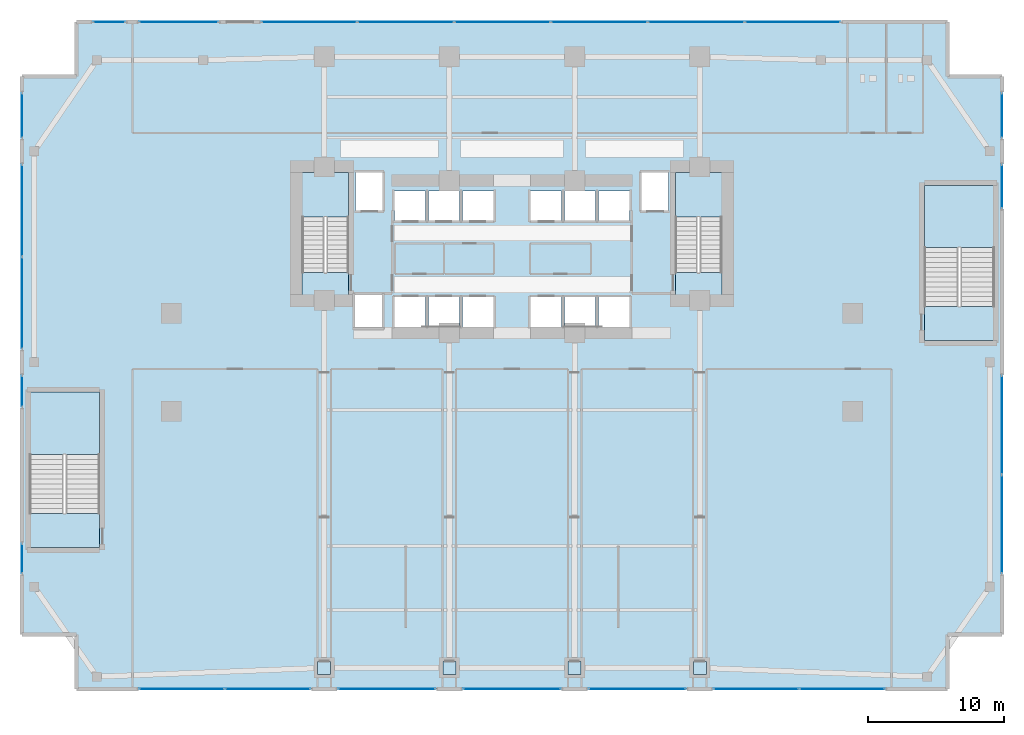
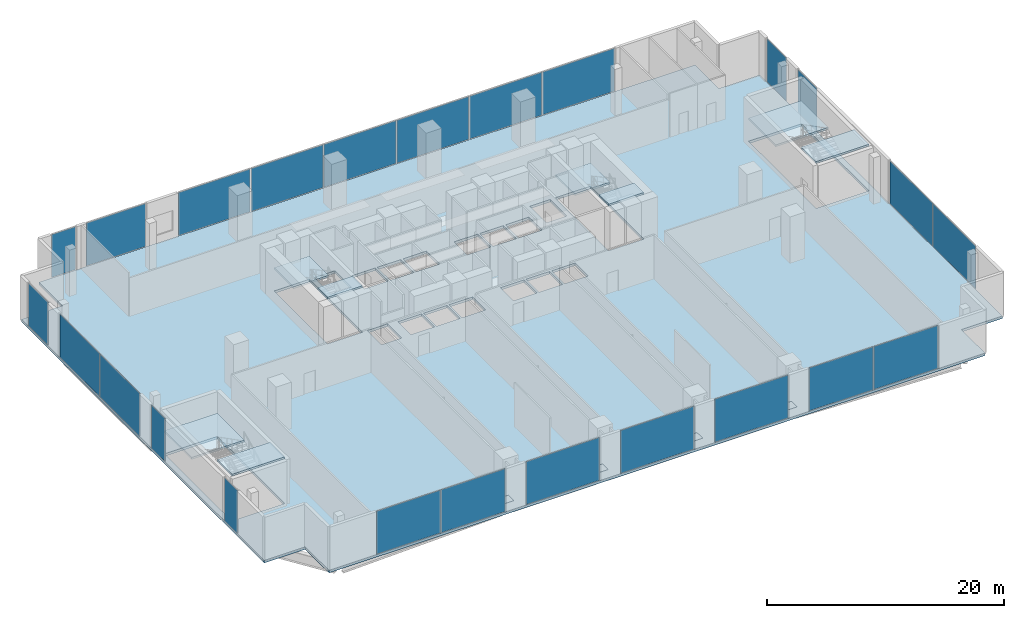
# One storey, part 24 of 33: 28 plates, 9 slabs, 19 elements without a shape of their own.
"""IFC4 building model written with IfcOpenShell, lengths in metres."""

from ifc_helpers import new_model, si_unit, direction, frame, origin, origin_2d, place, context, subcontext, project, spatial, polyline, rectangle, outline, extrude, material, layer, layer_set, type_object, element, aggregate, save


model = new_model("IFC4")

# Units and contexts
model_context = context("Model", 3, precision=1e-05, world=origin(), true_north=direction((0.0, 1.0)))
body_context = subcontext(model_context, "Body", "Model", "MODEL_VIEW")
ifc_project = project(units=[si_unit("LENGTHUNIT", "METRE"), si_unit("AREAUNIT", "SQUARE_METRE"), si_unit("VOLUMEUNIT", "CUBIC_METRE"), si_unit("PLANEANGLEUNIT", "RADIAN"), si_unit("MASSUNIT", "GRAM", prefix="KILO")], contexts=[model_context])

# Site, building, storey
site_placement = place(None, origin())
site = spatial("IfcSite", under=ifc_project, at=site_placement, CompositionType="ELEMENT")
building_placement = place(site_placement, origin())
building = spatial("IfcBuilding", under=site, at=building_placement, Name="Zuhayl Quay Hotel", CompositionType="ELEMENT")
storey_placement = place(building_placement, frame((0.0, 0.0, 18.0)))
storey = spatial("IfcBuildingStorey", under=building, at=storey_placement, Name="L03", CompositionType="ELEMENT", Elevation=18.0)

# Curtain wall, plate
ifc_material_1 = material(Name="Anodised Aluminium 6063-T6", Category="aluminium")
ifc_layer_1 = layer(ifc_material_1, 0.199951171875, Name="Anodised Aluminium 6063-T6", Category="aluminium")
ifc_layer_set_1 = layer_set([ifc_layer_1], Name="Anodised Aluminium 6063-T6")
curtain_wall_type = type_object("IfcCurtainWallType", Name="CW_SYS_POD", PredefinedType="USERDEFINED", material=ifc_layer_set_1)
curtain_wall_1_placement = place(storey_placement, origin())
curtain_wall_1 = element("IfcCurtainWall", 1, at=curtain_wall_1_placement, inside=storey, type_object=curtain_wall_type, Name="L03 Curtain Wall ENV_L03_E02_CW1", ObjectType="UNITISED CURTAIN WALL", PredefinedType="USERDEFINED")
ifc_material_2 = material(Name="Low-E Insulated Clear Vision Glass", Category="glass")
ifc_layer_2 = layer(ifc_material_2, 0.031982421875, Name="Low-E Insulated Clear Vision Glass", Category="glass")
ifc_layer_set_2 = layer_set([ifc_layer_2], Name="Low-E Insulated Clear Vision Glass")
plate_type_1 = type_object("IfcPlateType", Name="PN_POD_VISION", PredefinedType="CURTAIN_PANEL", material=ifc_layer_set_2)
plate_1_placement = place(storey_placement, frame((-36.0, -14.4150390625, 0.06005859375), z_axis=(0.0, 0.0, 1.0), x_axis=(0.0, 1.0, 0.0)))
plate_1 = element("IfcPlate", 2, at=plate_1_placement, type_object=plate_type_1, Name="CW-POD panel 1.1", PredefinedType="CURTAIN_PANEL", context=body_context, shape_type="SweptSolid", body=[
    extrude(rectangle(XDim=2.179931640625, YDim=0.031982421875, at=origin_2d()), origin(), (0.0, 0.0, 1.0), 4.419921875),
])
aggregate(curtain_wall_1, [plate_1])

curtain_wall_2_placement = place(storey_placement, origin())
curtain_wall_2 = element("IfcCurtainWall", 3, at=curtain_wall_2_placement, inside=storey, type_object=curtain_wall_type, Name="L03 Curtain Wall ENV_L03_E02_CW2", ObjectType="UNITISED CURTAIN WALL", PredefinedType="USERDEFINED")
plate_2_placement = place(storey_placement, frame((-36.0, -2.135009765625, 0.06005859375), z_axis=(0.0, 0.0, 1.0), x_axis=(0.0, 1.0, 0.0)))
plate_2 = element("IfcPlate", 4, at=plate_2_placement, type_object=plate_type_1, Name="CW-POD panel 1.1", PredefinedType="CURTAIN_PANEL", context=body_context, shape_type="SweptSolid", body=[
    extrude(rectangle(XDim=2.280029296875, YDim=0.031982421875, at=origin_2d()), origin(), (0.0, 0.0, 1.0), 4.419921875),
])
aggregate(curtain_wall_2, [plate_2])

# Curtain wall, plates
curtain_wall_3_placement = place(storey_placement, origin())
curtain_wall_3 = element("IfcCurtainWall", 5, at=curtain_wall_3_placement, inside=storey, type_object=curtain_wall_type, Name="L03 Curtain Wall ENV_L03_E02_CW3", ObjectType="UNITISED CURTAIN WALL", PredefinedType="USERDEFINED")
plate_3_placement = place(storey_placement, frame((-36.0, 4.353759765625, 0.06005859375), z_axis=(0.0, 0.0, 1.0), x_axis=(0.0, 1.0, 0.0)))
plate_3 = element("IfcPlate", 6, at=plate_3_placement, type_object=plate_type_1, Name="CW-POD panel 1.1", PredefinedType="CURTAIN_PANEL", context=body_context, shape_type="SweptSolid", body=[
    extrude(rectangle(XDim=6.717529296875, YDim=0.031982421875, at=origin_2d()), origin(), (0.0, 0.0, 1.0), 4.419921875),
])
plate_4_placement = place(storey_placement, frame((-36.0, 11.146240234375, 0.06005859375), z_axis=(0.0, 0.0, 1.0), x_axis=(0.0, 1.0, 0.0)))
plate_4 = element("IfcPlate", 7, at=plate_4_placement, type_object=plate_type_1, Name="CW-POD panel 2.1", PredefinedType="CURTAIN_PANEL", context=body_context, shape_type="SweptSolid", body=[
    extrude(rectangle(XDim=6.717529296875, YDim=0.031982421875, at=origin_2d()), origin(), (0.0, 0.0, 1.0), 4.419921875),
])
aggregate(curtain_wall_3, [plate_3, plate_4])

# Curtain wall, plate
curtain_wall_4_placement = place(storey_placement, origin())
curtain_wall_4 = element("IfcCurtainWall", 8, at=curtain_wall_4_placement, inside=storey, type_object=curtain_wall_type, Name="L03 Curtain Wall ENV_L03_E02_CW4", ObjectType="UNITISED CURTAIN WALL", PredefinedType="USERDEFINED")
plate_5_placement = place(storey_placement, frame((-36.0, 18.135009765625, 0.06005859375), z_axis=(0.0, 0.0, 1.0), x_axis=(0.0, 1.0, 0.0)))
plate_5 = element("IfcPlate", 9, at=plate_5_placement, type_object=plate_type_1, Name="CW-POD panel 1.1", PredefinedType="CURTAIN_PANEL", context=body_context, shape_type="SweptSolid", body=[
    extrude(rectangle(XDim=3.280029296875, YDim=0.031982421875, at=origin_2d()), origin(), (0.0, 0.0, 1.0), 4.419921875),
])
aggregate(curtain_wall_4, [plate_5])

curtain_wall_5_placement = place(storey_placement, origin())
curtain_wall_5 = element("IfcCurtainWall", 10, at=curtain_wall_5_placement, inside=storey, type_object=curtain_wall_type, Name="L03 Curtain Wall ENV_L03_E05_CW1", ObjectType="UNITISED CURTAIN WALL", PredefinedType="USERDEFINED")
plate_6_placement = place(storey_placement, frame((-29.60009765625, 25.0, 0.06005859375), z_axis=(0.0, 0.0, 1.0), x_axis=(1.0, 0.0, 0.0)))
plate_6 = element("IfcPlate", 11, at=plate_6_placement, type_object=plate_type_1, Name="CW-POD panel 1.1", PredefinedType="CURTAIN_PANEL", context=body_context, shape_type="SweptSolid", body=[
    extrude(rectangle(XDim=2.35009765625, YDim=0.031982421875, at=origin_2d()), origin(), (0.0, 0.0, 1.0), 4.419921875),
])
aggregate(curtain_wall_5, [plate_6])

curtain_wall_6_placement = place(storey_placement, origin())
curtain_wall_6 = element("IfcCurtainWall", 12, at=curtain_wall_6_placement, inside=storey, type_object=curtain_wall_type, Name="L03 Curtain Wall ENV_L03_E05_CW2", ObjectType="UNITISED CURTAIN WALL", PredefinedType="USERDEFINED")
plate_7_placement = place(storey_placement, frame((-24.487548828125, 25.0, 0.06005859375), z_axis=(0.0, 0.0, 1.0), x_axis=(1.0, 0.0, 0.0)))
plate_7 = element("IfcPlate", 13, at=plate_7_placement, type_object=plate_type_1, Name="CW-POD panel 1.1", PredefinedType="CURTAIN_PANEL", context=body_context, shape_type="SweptSolid", body=[
    extrude(rectangle(XDim=5.77490234375, YDim=0.031982421875, at=origin_2d()), origin(), (0.0, 0.0, 1.0), 4.419921875),
])
aggregate(curtain_wall_6, [plate_7])

# Curtain wall, plates
curtain_wall_7_placement = place(storey_placement, origin())
curtain_wall_7 = element("IfcCurtainWall", 14, at=curtain_wall_7_placement, inside=storey, type_object=curtain_wall_type, Name="L03 Curtain Wall ENV_L03_E05_CW3", ObjectType="UNITISED CURTAIN WALL", PredefinedType="USERDEFINED")
plate_8_placement = place(storey_placement, frame((-14.89990234375, 25.0, 0.06005859375), z_axis=(0.0, 0.0, 1.0), x_axis=(1.0, 0.0, 0.0)))
plate_8 = element("IfcPlate", 15, at=plate_8_placement, type_object=plate_type_1, Name="CW-POD panel 1.1", PredefinedType="CURTAIN_PANEL", context=body_context, shape_type="SweptSolid", body=[
    extrude(rectangle(XDim=7.0, YDim=0.031982421875, at=origin_2d()), origin(), (0.0, 0.0, 1.0), 4.419921875),
])
plate_9_placement = place(storey_placement, frame((-7.80615234375, 25.0, 0.06005859375), z_axis=(0.0, 0.0, 1.0), x_axis=(1.0, 0.0, 0.0)))
plate_9 = element("IfcPlate", 16, at=plate_9_placement, type_object=plate_type_1, Name="CW-POD panel 2.1", PredefinedType="CURTAIN_PANEL", context=body_context, shape_type="SweptSolid", body=[
    extrude(rectangle(XDim=7.03759765625, YDim=0.031982421875, at=origin_2d()), origin(), (0.0, 0.0, 1.0), 4.419921875),
])
plate_10_placement = place(storey_placement, frame((-0.69384765625, 25.0, 0.06005859375), z_axis=(0.0, 0.0, 1.0), x_axis=(1.0, 0.0, 0.0)))
plate_10 = element("IfcPlate", 17, at=plate_10_placement, type_object=plate_type_1, Name="CW-POD panel 3.1", PredefinedType="CURTAIN_PANEL", context=body_context, shape_type="SweptSolid", body=[
    extrude(rectangle(XDim=7.03759765625, YDim=0.031982421875, at=origin_2d()), origin(), (0.0, 0.0, 1.0), 4.419921875),
])
plate_11_placement = place(storey_placement, frame((6.418701171875, 25.0, 0.06005859375), z_axis=(0.0, 0.0, 1.0), x_axis=(1.0, 0.0, 0.0)))
plate_11 = element("IfcPlate", 18, at=plate_11_placement, type_object=plate_type_1, Name="CW-POD panel 4.1", PredefinedType="CURTAIN_PANEL", context=body_context, shape_type="SweptSolid", body=[
    extrude(rectangle(XDim=7.03759765625, YDim=0.031982421875, at=origin_2d()), origin(), (0.0, 0.0, 1.0), 4.419921875),
])
plate_12_placement = place(storey_placement, frame((13.53125, 25.0, 0.06005859375), z_axis=(0.0, 0.0, 1.0), x_axis=(1.0, 0.0, 0.0)))
plate_12 = element("IfcPlate", 19, at=plate_12_placement, type_object=plate_type_1, Name="CW-POD panel 5.1", PredefinedType="CURTAIN_PANEL", context=body_context, shape_type="SweptSolid", body=[
    extrude(rectangle(XDim=7.03759765625, YDim=0.031982421875, at=origin_2d()), origin(), (0.0, 0.0, 1.0), 4.419921875),
])
plate_13_placement = place(storey_placement, frame((20.625, 25.0, 0.06005859375), z_axis=(0.0, 0.0, 1.0), x_axis=(1.0, 0.0, 0.0)))
plate_13 = element("IfcPlate", 20, at=plate_13_placement, type_object=plate_type_1, Name="CW-POD panel 6.1", PredefinedType="CURTAIN_PANEL", context=body_context, shape_type="SweptSolid", body=[
    extrude(rectangle(XDim=7.0, YDim=0.031982421875, at=origin_2d()), origin(), (0.0, 0.0, 1.0), 4.419921875),
])
aggregate(curtain_wall_7, [plate_8, plate_9, plate_10, plate_11, plate_12, plate_13])

# Curtain wall, plate
curtain_wall_8_placement = place(storey_placement, origin())
curtain_wall_8 = element("IfcCurtainWall", 21, at=curtain_wall_8_placement, inside=storey, type_object=curtain_wall_type, Name="L03 Curtain Wall ENV_L03_E08_CW1", ObjectType="UNITISED CURTAIN WALL", PredefinedType="USERDEFINED")
plate_14_placement = place(storey_placement, frame((36.0, 18.135009765625, 0.06005859375), z_axis=(0.0, 0.0, 1.0), x_axis=(0.0, -1.0, 0.0)))
plate_14 = element("IfcPlate", 22, at=plate_14_placement, type_object=plate_type_1, Name="CW-POD panel 1.1", PredefinedType="CURTAIN_PANEL", context=body_context, shape_type="SweptSolid", body=[
    extrude(rectangle(XDim=3.280029296875, YDim=0.031982421875, at=origin_2d()), origin(), (0.0, 0.0, 1.0), 4.419921875),
])
aggregate(curtain_wall_8, [plate_14])

curtain_wall_9_placement = place(storey_placement, origin())
curtain_wall_9 = element("IfcCurtainWall", 23, at=curtain_wall_9_placement, inside=storey, type_object=curtain_wall_type, Name="L03 Curtain Wall ENV_L03_E08_CW2", ObjectType="UNITISED CURTAIN WALL", PredefinedType="USERDEFINED")
plate_15_placement = place(storey_placement, frame((36.0, 12.9150390625, 0.06005859375), z_axis=(0.0, 0.0, 1.0), x_axis=(0.0, -1.0, 0.0)))
plate_15 = element("IfcPlate", 24, at=plate_15_placement, type_object=plate_type_1, Name="CW-POD panel 1.1", PredefinedType="CURTAIN_PANEL", context=body_context, shape_type="SweptSolid", body=[
    extrude(rectangle(XDim=3.179931640625, YDim=0.031982421875, at=origin_2d()), origin(), (0.0, 0.0, 1.0), 4.419921875),
])
aggregate(curtain_wall_9, [plate_15])

# Curtain wall, plates
curtain_wall_10_placement = place(storey_placement, origin())
curtain_wall_10 = element("IfcCurtainWall", 25, at=curtain_wall_10_placement, inside=storey, type_object=curtain_wall_type, Name="L03 Curtain Wall ENV_L03_E08_CW3", ObjectType="UNITISED CURTAIN WALL", PredefinedType="USERDEFINED")
plate_16_placement = place(storey_placement, frame((36.0, -4.603759765625, 0.06005859375), z_axis=(0.0, 0.0, 1.0), x_axis=(0.0, -1.0, 0.0)))
plate_16 = element("IfcPlate", 26, at=plate_16_placement, type_object=plate_type_1, Name="CW-POD panel 1.1", PredefinedType="CURTAIN_PANEL", context=body_context, shape_type="SweptSolid", body=[
    extrude(rectangle(XDim=7.217529296875, YDim=0.031982421875, at=origin_2d()), origin(), (0.0, 0.0, 1.0), 4.419921875),
])
plate_17_placement = place(storey_placement, frame((36.0, -11.896240234375, 0.06005859375), z_axis=(0.0, 0.0, 1.0), x_axis=(0.0, -1.0, 0.0)))
plate_17 = element("IfcPlate", 27, at=plate_17_placement, type_object=plate_type_1, Name="CW-POD panel 2.1", PredefinedType="CURTAIN_PANEL", context=body_context, shape_type="SweptSolid", body=[
    extrude(rectangle(XDim=7.217529296875, YDim=0.031982421875, at=origin_2d()), origin(), (0.0, 0.0, 1.0), 4.419921875),
])
aggregate(curtain_wall_10, [plate_16, plate_17])

curtain_wall_11_placement = place(storey_placement, origin())
curtain_wall_11 = element("IfcCurtainWall", 28, at=curtain_wall_11_placement, inside=storey, type_object=curtain_wall_type, Name="L03 Curtain Wall ENV_L03_E11_CW1", ObjectType="UNITISED CURTAIN WALL", PredefinedType="USERDEFINED")
plate_18_placement = place(storey_placement, frame((24.25634765625, -24.0, 0.06005859375), z_axis=(0.0, 0.0, 1.0), x_axis=(-1.0, 0.0, 0.0)))
plate_18 = element("IfcPlate", 29, at=plate_18_placement, type_object=plate_type_1, Name="CW-POD panel 1.1", PredefinedType="CURTAIN_PANEL", context=body_context, shape_type="SweptSolid", body=[
    extrude(rectangle(XDim=6.237548828125, YDim=0.031982421875, at=origin_2d()), origin(), (0.0, 0.0, 1.0), 4.419921875),
])
plate_19_placement = place(storey_placement, frame((17.94384765625, -24.0, 0.06005859375), z_axis=(0.0, 0.0, 1.0), x_axis=(-1.0, 0.0, 0.0)))
plate_19 = element("IfcPlate", 30, at=plate_19_placement, type_object=plate_type_1, Name="CW-POD panel 2.1", PredefinedType="CURTAIN_PANEL", context=body_context, shape_type="SweptSolid", body=[
    extrude(rectangle(XDim=6.237548828125, YDim=0.031982421875, at=origin_2d()), origin(), (0.0, 0.0, 1.0), 4.419921875),
])
aggregate(curtain_wall_11, [plate_18, plate_19])

# Curtain wall, plate
curtain_wall_12_placement = place(storey_placement, origin())
curtain_wall_12 = element("IfcCurtainWall", 31, at=curtain_wall_12_placement, inside=storey, type_object=curtain_wall_type, Name="L03 Curtain Wall ENV_L03_E11_CW2", ObjectType="UNITISED CURTAIN WALL", PredefinedType="USERDEFINED")
plate_20_placement = place(storey_placement, frame((9.199951171875, -24.0, 0.06005859375), z_axis=(0.0, 0.0, 1.0), x_axis=(-1.0, 0.0, 0.0)))
plate_20 = element("IfcPlate", 32, at=plate_20_placement, type_object=plate_type_1, Name="CW-POD panel 1.1", PredefinedType="CURTAIN_PANEL", context=body_context, shape_type="SweptSolid", body=[
    extrude(rectangle(XDim=7.14990234375, YDim=0.031982421875, at=origin_2d()), origin(), (0.0, 0.0, 1.0), 4.419921875),
])
aggregate(curtain_wall_12, [plate_20])

curtain_wall_13_placement = place(storey_placement, origin())
curtain_wall_13 = element("IfcCurtainWall", 33, at=curtain_wall_13_placement, inside=storey, type_object=curtain_wall_type, Name="L03 Curtain Wall ENV_L03_E11_CW3", ObjectType="UNITISED CURTAIN WALL", PredefinedType="USERDEFINED")
plate_21_placement = place(storey_placement, frame((0.0, -24.0, 0.06005859375), z_axis=(0.0, 0.0, 1.0), x_axis=(-1.0, 0.0, 0.0)))
plate_21 = element("IfcPlate", 34, at=plate_21_placement, type_object=plate_type_1, Name="CW-POD panel 1.1", PredefinedType="CURTAIN_PANEL", context=body_context, shape_type="SweptSolid", body=[
    extrude(rectangle(XDim=7.14990234375, YDim=0.031982421875, at=origin_2d()), origin(), (0.0, 0.0, 1.0), 4.419921875),
])
aggregate(curtain_wall_13, [plate_21])

curtain_wall_14_placement = place(storey_placement, origin())
curtain_wall_14 = element("IfcCurtainWall", 35, at=curtain_wall_14_placement, inside=storey, type_object=curtain_wall_type, Name="L03 Curtain Wall ENV_L03_E11_CW4", ObjectType="UNITISED CURTAIN WALL", PredefinedType="USERDEFINED")
plate_22_placement = place(storey_placement, frame((-9.199951171875, -24.0, 0.06005859375), z_axis=(0.0, 0.0, 1.0), x_axis=(-1.0, 0.0, 0.0)))
plate_22 = element("IfcPlate", 36, at=plate_22_placement, type_object=plate_type_1, Name="CW-POD panel 1.1", PredefinedType="CURTAIN_PANEL", context=body_context, shape_type="SweptSolid", body=[
    extrude(rectangle(XDim=7.14990234375, YDim=0.031982421875, at=origin_2d()), origin(), (0.0, 0.0, 1.0), 4.419921875),
])
aggregate(curtain_wall_14, [plate_22])

# Curtain wall, plates
curtain_wall_15_placement = place(storey_placement, origin())
curtain_wall_15 = element("IfcCurtainWall", 37, at=curtain_wall_15_placement, inside=storey, type_object=curtain_wall_type, Name="L03 Curtain Wall ENV_L03_E11_CW5", ObjectType="UNITISED CURTAIN WALL", PredefinedType="USERDEFINED")
plate_23_placement = place(storey_placement, frame((-17.94384765625, -24.0, 0.06005859375), z_axis=(0.0, 0.0, 1.0), x_axis=(-1.0, 0.0, 0.0)))
plate_23 = element("IfcPlate", 38, at=plate_23_placement, type_object=plate_type_1, Name="CW-POD panel 1.1", PredefinedType="CURTAIN_PANEL", context=body_context, shape_type="SweptSolid", body=[
    extrude(rectangle(XDim=6.237548828125, YDim=0.031982421875, at=origin_2d()), origin(), (0.0, 0.0, 1.0), 4.419921875),
])
plate_24_placement = place(storey_placement, frame((-24.25634765625, -24.0, 0.06005859375), z_axis=(0.0, 0.0, 1.0), x_axis=(-1.0, 0.0, 0.0)))
plate_24 = element("IfcPlate", 39, at=plate_24_placement, type_object=plate_type_1, Name="CW-POD panel 2.1", PredefinedType="CURTAIN_PANEL", context=body_context, shape_type="SweptSolid", body=[
    extrude(rectangle(XDim=6.237548828125, YDim=0.031982421875, at=origin_2d()), origin(), (0.0, 0.0, 1.0), 4.419921875),
])
aggregate(curtain_wall_15, [plate_23, plate_24])

# Slab
ifc_material_3 = material(Name="Concrete C45/55", Category="concrete")
ifc_layer_3 = layer(ifc_material_3, 0.260009765625, Name="Concrete C45/55", Category="concrete")
ifc_layer_set_3 = layer_set([ifc_layer_3], Name="Concrete C45/55")
slab_type_1 = type_object("IfcSlabType", Name="SL_FLOOR_260", PredefinedType="FLOOR", material=ifc_layer_set_3)
slab_1_placement = place(storey_placement, frame((0.0, 0.0, -0.260009765625)))
element("IfcSlab", 40, at=slab_1_placement, inside=storey, type_object=slab_type_1, Name="L03 Structural Floor Slab", PredefinedType="FLOOR", context=body_context, shape_type="SweptSolid", body=[
    extrude(outline(polyline([(-32.0, -24.0), (32.0, -24.0), (32.0, -20.0), (36.0, -20.0), (36.0, 21.0), (32.0, 21.0), (32.0, 25.0), (-32.0, 25.0), (-32.0, 21.0), (-36.0, 21.0), (-36.0, -20.0), (-32.0, -20.0), (-32.0, -24.0)]), holes=[polyline([(-12.0, 4.949951171875), (-12.0, 13.949951171875), (-15.429931640625, 13.949951171875), (-15.429931640625, 4.949951171875), (-12.0, 4.949951171875)]), polyline([(15.429931640625, 4.949951171875), (15.429931640625, 13.949951171875), (12.0, 13.949951171875), (12.0, 4.949951171875), (15.429931640625, 4.949951171875)]), polyline([(-30.300048828125, -13.60009765625), (-30.300048828125, -2.199951171875), (-35.449951171875, -2.199951171875), (-35.449951171875, -13.60009765625), (-30.300048828125, -13.60009765625)]), polyline([(35.449951171875, 1.60009765625), (35.449951171875, 13.0), (30.300048828125, 13.0), (30.300048828125, 1.60009765625), (35.449951171875, 1.60009765625)]), polyline([(-11.5, 11.14990234375), (-9.5, 11.14990234375), (-9.5, 13.949951171875), (-11.5, 13.949951171875), (-11.5, 11.14990234375)]), polyline([(9.5, 11.14990234375), (11.5, 11.14990234375), (11.5, 13.949951171875), (9.5, 13.949951171875), (9.5, 11.14990234375)]), polyline([(-8.64990234375, 2.60009765625), (-6.35009765625, 2.60009765625), (-6.35009765625, 4.800048828125), (-8.64990234375, 4.800048828125), (-8.64990234375, 2.60009765625)]), polyline([(-6.14990234375, 2.60009765625), (-3.85009765625, 2.60009765625), (-3.85009765625, 4.800048828125), (-6.14990234375, 4.800048828125), (-6.14990234375, 2.60009765625)]), polyline([(-8.64990234375, 10.39990234375), (-6.35009765625, 10.39990234375), (-6.35009765625, 12.60009765625), (-8.64990234375, 12.60009765625), (-8.64990234375, 10.39990234375)]), polyline([(-6.14990234375, 10.39990234375), (-3.85009765625, 10.39990234375), (-3.85009765625, 12.60009765625), (-6.14990234375, 12.60009765625), (-6.14990234375, 10.39990234375)]), polyline([(-3.64990234375, 2.60009765625), (-1.35009765625, 2.60009765625), (-1.35009765625, 4.800048828125), (-3.64990234375, 4.800048828125), (-3.64990234375, 2.60009765625)]), polyline([(1.35009765625, 2.60009765625), (3.64990234375, 2.60009765625), (3.64990234375, 4.800048828125), (1.35009765625, 4.800048828125), (1.35009765625, 2.60009765625)]), polyline([(-3.64990234375, 10.39990234375), (-1.35009765625, 10.39990234375), (-1.35009765625, 12.60009765625), (-3.64990234375, 12.60009765625), (-3.64990234375, 10.39990234375)]), polyline([(1.35009765625, 10.39990234375), (3.64990234375, 10.39990234375), (3.64990234375, 12.60009765625), (1.35009765625, 12.60009765625), (1.35009765625, 10.39990234375)]), polyline([(3.85009765625, 2.60009765625), (6.14990234375, 2.60009765625), (6.14990234375, 4.800048828125), (3.85009765625, 4.800048828125), (3.85009765625, 2.60009765625)]), polyline([(6.35009765625, 2.60009765625), (8.64990234375, 2.60009765625), (8.64990234375, 4.800048828125), (6.35009765625, 4.800048828125), (6.35009765625, 2.60009765625)]), polyline([(3.85009765625, 10.39990234375), (6.14990234375, 10.39990234375), (6.14990234375, 12.60009765625), (3.85009765625, 12.60009765625), (3.85009765625, 10.39990234375)]), polyline([(6.35009765625, 10.39990234375), (8.64990234375, 10.39990234375), (8.64990234375, 12.60009765625), (6.35009765625, 12.60009765625), (6.35009765625, 10.39990234375)]), polyline([(-11.550048828125, 2.550048828125), (-9.550048828125, 2.550048828125), (-9.550048828125, 4.949951171875), (-11.550048828125, 4.949951171875), (-11.550048828125, 2.550048828125)])]), origin(), (0.0, 0.0, 1.0), 0.260009765625),
])

# Stair, slabs
stair_type_1 = type_object("IfcStairType", Name="ST_DOGLEG_TOWER", PredefinedType="HALF_TURN_STAIR", material=ifc_material_3)
stair_1_placement = place(storey_placement, origin())
stair_1 = element("IfcStair", 41, at=stair_1_placement, inside=storey, type_object=stair_type_1, Name="L03 Smokeproof Exit Stair ST1", PredefinedType="HALF_TURN_STAIR")
ifc_layer_4 = layer(ifc_material_3, 0.199951171875, Name="Concrete C45/55", Category="concrete")
ifc_layer_set_4 = layer_set([ifc_layer_4], Name="Concrete C45/55")
slab_type_2 = type_object("IfcSlabType", Name="SL_STAIR_LANDING_200", PredefinedType="LANDING", material=ifc_layer_set_4)
slab_2_placement = place(storey_placement, frame((0.0, 0.0, 2.199951171875)))
slab_2 = element("IfcSlab", 42, at=slab_2_placement, type_object=slab_type_2, Name="ST1 landing 1", PredefinedType="LANDING", context=body_context, shape_type="SweptSolid", body=[
    extrude(outline(polyline([(-12.0, 10.669921875), (-12.0, 13.949951171875), (-15.429931640625, 13.949951171875), (-15.429931640625, 10.669921875), (-12.0, 10.669921875)])), origin(), (0.0, 0.0, 1.0), 0.199951171875),
])
slab_3_placement = place(storey_placement, frame((0.0, 0.0, 4.60009765625)))
slab_3 = element("IfcSlab", 43, at=slab_3_placement, type_object=slab_type_2, Name="ST1 landing 2", PredefinedType="LANDING", context=body_context, shape_type="SweptSolid", body=[
    extrude(outline(polyline([(-12.0, 4.949951171875), (-12.0, 6.590087890625), (-15.429931640625, 6.590087890625), (-15.429931640625, 4.949951171875), (-12.0, 4.949951171875)])), origin(), (0.0, 0.0, 1.0), 0.199951171875),
])
aggregate(stair_1, [slab_2, slab_3])

stair_2_placement = place(storey_placement, origin())
stair_2 = element("IfcStair", 44, at=stair_2_placement, inside=storey, type_object=stair_type_1, Name="L03 Smokeproof Exit Stair ST2", PredefinedType="HALF_TURN_STAIR")
slab_4_placement = place(storey_placement, frame((0.0, 0.0, 2.199951171875)))
slab_4 = element("IfcSlab", 45, at=slab_4_placement, type_object=slab_type_2, Name="ST2 landing 1", PredefinedType="LANDING", context=body_context, shape_type="SweptSolid", body=[
    extrude(outline(polyline([(15.429931640625, 10.669921875), (15.429931640625, 13.949951171875), (12.0, 13.949951171875), (12.0, 10.669921875), (15.429931640625, 10.669921875)])), origin(), (0.0, 0.0, 1.0), 0.199951171875),
])
slab_5_placement = place(storey_placement, frame((0.0, 0.0, 4.60009765625)))
slab_5 = element("IfcSlab", 46, at=slab_5_placement, type_object=slab_type_2, Name="ST2 landing 2", PredefinedType="LANDING", context=body_context, shape_type="SweptSolid", body=[
    extrude(outline(polyline([(15.429931640625, 4.949951171875), (15.429931640625, 6.590087890625), (12.0, 6.590087890625), (12.0, 4.949951171875), (15.429931640625, 4.949951171875)])), origin(), (0.0, 0.0, 1.0), 0.199951171875),
])
aggregate(stair_2, [slab_4, slab_5])

stair_type_2 = type_object("IfcStairType", Name="ST_DOGLEG_PODIUM", PredefinedType="HALF_TURN_STAIR", material=ifc_material_3)
stair_3_placement = place(storey_placement, origin())
stair_3 = element("IfcStair", 47, at=stair_3_placement, inside=storey, type_object=stair_type_2, Name="L03 Smokeproof Exit Stair ST3", PredefinedType="HALF_TURN_STAIR")
slab_6_placement = place(storey_placement, frame((0.0, 0.0, 2.199951171875)))
slab_6 = element("IfcSlab", 48, at=slab_6_placement, type_object=slab_type_2, Name="ST3 landing 1", PredefinedType="LANDING", context=body_context, shape_type="SweptSolid", body=[
    extrude(outline(polyline([(-30.300048828125, -6.780029296875), (-30.300048828125, -2.199951171875), (-35.449951171875, -2.199951171875), (-35.449951171875, -6.780029296875), (-30.300048828125, -6.780029296875)])), origin(), (0.0, 0.0, 1.0), 0.199951171875),
])
slab_7_placement = place(storey_placement, frame((0.0, 0.0, 4.60009765625)))
slab_7 = element("IfcSlab", 49, at=slab_7_placement, type_object=slab_type_2, Name="ST3 landing 2", PredefinedType="LANDING", context=body_context, shape_type="SweptSolid", body=[
    extrude(outline(polyline([(-30.300048828125, -13.60009765625), (-30.300048828125, -11.10009765625), (-35.449951171875, -11.10009765625), (-35.449951171875, -13.60009765625), (-30.300048828125, -13.60009765625)])), origin(), (0.0, 0.0, 1.0), 0.199951171875),
])
aggregate(stair_3, [slab_6, slab_7])

stair_4_placement = place(storey_placement, origin())
stair_4 = element("IfcStair", 50, at=stair_4_placement, inside=storey, type_object=stair_type_2, Name="L03 Smokeproof Exit Stair ST4", PredefinedType="HALF_TURN_STAIR")
slab_8_placement = place(storey_placement, frame((0.0, 0.0, 2.199951171875)))
slab_8 = element("IfcSlab", 51, at=slab_8_placement, type_object=slab_type_2, Name="ST4 landing 1", PredefinedType="LANDING", context=body_context, shape_type="SweptSolid", body=[
    extrude(outline(polyline([(35.449951171875, 8.419921875), (35.449951171875, 13.0), (30.300048828125, 13.0), (30.300048828125, 8.419921875), (35.449951171875, 8.419921875)])), origin(), (0.0, 0.0, 1.0), 0.199951171875),
])
slab_9_placement = place(storey_placement, frame((0.0, 0.0, 4.60009765625)))
slab_9 = element("IfcSlab", 52, at=slab_9_placement, type_object=slab_type_2, Name="ST4 landing 2", PredefinedType="LANDING", context=body_context, shape_type="SweptSolid", body=[
    extrude(outline(polyline([(35.449951171875, 1.60009765625), (35.449951171875, 4.10009765625), (30.300048828125, 4.10009765625), (30.300048828125, 1.60009765625), (35.449951171875, 1.60009765625)])), origin(), (0.0, 0.0, 1.0), 0.199951171875),
])
aggregate(stair_4, [slab_8, slab_9])

# Plates
ifc_material_4 = material(Name="Steel ASTM A572 Grade 50", Category="steel")
ifc_layer_5 = layer(ifc_material_4, 0.06494140625, Name="Steel ASTM A572 Grade 50", Category="steel")
ifc_layer_set_5 = layer_set([ifc_layer_5], Name="Steel ASTM A572 Grade 50")
plate_type_2 = type_object("IfcPlateType", Name="TP_BASE_PLATE_65", PredefinedType="USERDEFINED", material=ifc_layer_set_5)
for number, where, z_axis, x_axis, name in (
    (53, (-13.800048828125, -22.449951171875, -0.06494140625), (0.0, 0.0, 1.0), (1.0, 0.0, 0.0), "L03 Transfer Bearing Plate BPN1-1"),
    (54, (-4.60009765625, -22.449951171875, -0.06494140625), (0.0, 0.0, 1.0), (1.0, 0.0, 0.0), "L03 Transfer Bearing Plate BPN1-2"),
    (55, (4.60009765625, -22.449951171875, -0.06494140625), (0.0, 0.0, 1.0), (1.0, 0.0, 0.0), "L03 Transfer Bearing Plate BPN1-3"),
    (56, (13.800048828125, -22.449951171875, -0.06494140625), (0.0, 0.0, 1.0), (1.0, 0.0, 0.0), "L03 Transfer Bearing Plate BPN1-4"),
):
    element("IfcPlate", number, at=place(storey_placement, frame(where, z_axis=z_axis, x_axis=x_axis)), inside=storey, type_object=plate_type_2, Name=name, ObjectType="BASE PLATE", PredefinedType="USERDEFINED", context=body_context, shape_type="SweptSolid", body=[
        extrude(rectangle(XDim=0.949951171875, YDim=0.949951171875, at=origin_2d()), origin(), (0.0, 0.0, 1.0), 0.06494140625),
    ])

save(model, "model.ifc")
